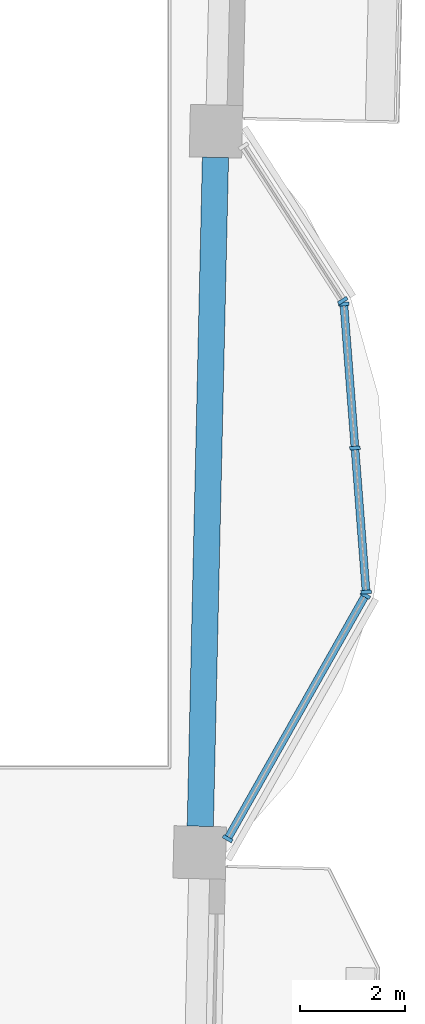
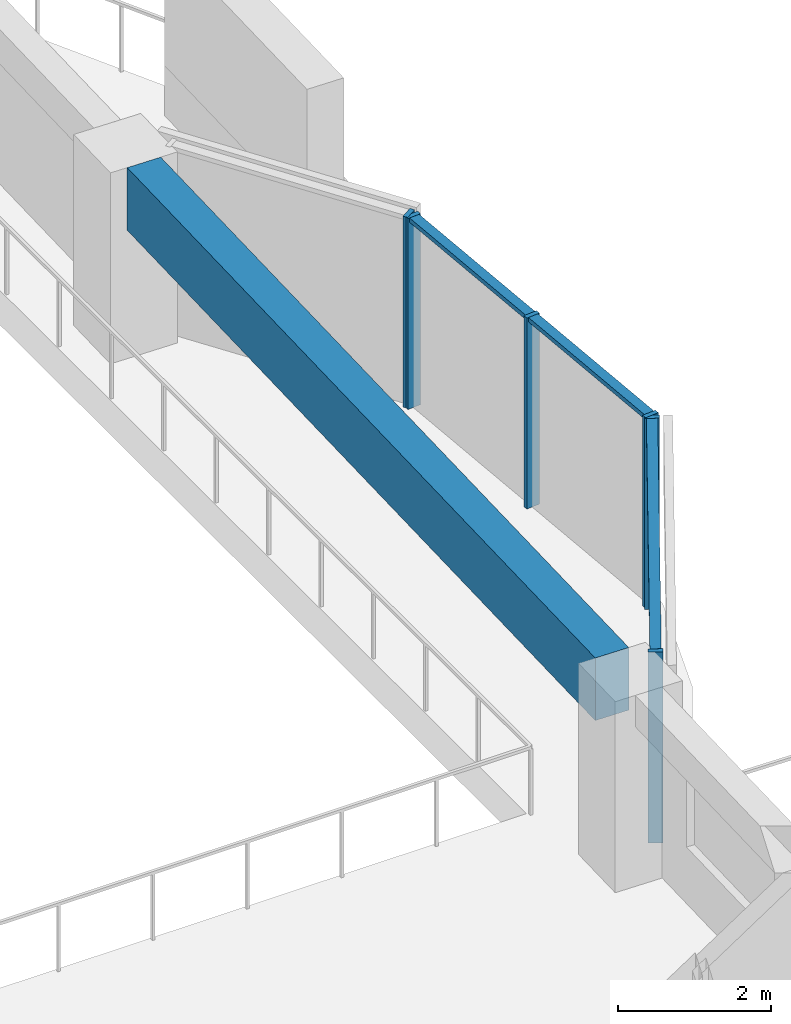
# One storey, part 2 of 17: 9 members, 1 beam, 3 elements without a shape of their own.
"""IFC4 building model written with IfcOpenShell, lengths in metres."""

from ifc_helpers import new_model, si_unit, direction, frame, origin, origin_2d, place, context, subcontext, project, spatial, rectangle, extrude, material, material_profile, profile_set, type_object, element, aggregate, save


model = new_model("IFC4")

# Units and contexts
model_context = context("Model", 3, precision=1e-05, world=origin(), true_north=direction((0.0, 1.0)))
body_context = subcontext(model_context, "Body", "Model", "MODEL_VIEW")
ifc_project = project(units=[si_unit("LENGTHUNIT", "METRE"), si_unit("AREAUNIT", "SQUARE_METRE"), si_unit("VOLUMEUNIT", "CUBIC_METRE"), si_unit("PLANEANGLEUNIT", "RADIAN"), si_unit("MASSUNIT", "GRAM", prefix="KILO")], contexts=[model_context])

# Site, building, storey
site_placement = place(None, origin())
site = spatial("IfcSite", under=ifc_project, at=site_placement, CompositionType="ELEMENT")
building_placement = place(site_placement, origin())
building = spatial("IfcBuilding", under=site, at=building_placement, Name="Mangrove Gate Tower", CompositionType="ELEMENT")
storey_placement = place(building_placement, frame((0.0, 0.0, 271.699951171875)))
storey = spatial("IfcBuildingStorey", under=building, at=storey_placement, Name="L69", CompositionType="ELEMENT", Elevation=271.699951171875)

# Curtain wall, members
ifc_material_1 = material(Name="Aluminium and glass curtain wall", Category="aluminium")
curtain_wall_type = type_object("IfcCurtainWallType", Name="Atrium garden-court glazing wall", PredefinedType="NOTDEFINED", material=ifc_material_1)
curtain_wall_1_placement = place(storey_placement, origin())
curtain_wall_1 = element("IfcCurtainWall", 1, at=curtain_wall_1_placement, inside=storey, type_object=curtain_wall_type, Name="Atrium garden-court glazing E1f1", PredefinedType="NOTDEFINED")
ifc_material_2 = material(Name="Aluminium alloy 6063-T6", Category="aluminium")
ifc_material_profile_1 = material_profile(ifc_material_2, rectangle(XDim=0.070068359375, YDim=0.199951171875, at=origin_2d()))
ifc_profile_set_1 = profile_set([ifc_material_profile_1], Name="Aluminium alloy 6063-T6")
member_type_1 = type_object("IfcMemberType", Name="Atrium garden-court glazing mullion 70x200", PredefinedType="MULLION", material=ifc_profile_set_1)
member_1_placement = place(storey_placement, frame((29.805908203125, -8.890869140625, 0.0), z_axis=(0.0, 0.0, 1.0), x_axis=(0.492567972087, 0.870273975754, 0.0)))
member_1 = element("IfcMember", 2, at=member_1_placement, type_object=member_type_1, Name="CWA mullion 1", PredefinedType="MULLION", context=body_context, shape_type="SweptSolid", body=[
    extrude(rectangle(XDim=0.070068359375, YDim=0.199951171875, at=origin_2d()), origin(), (0.0, 0.0, 1.0), 3.050048828125),
])
member_2_placement = place(storey_placement, frame((32.429931640625, -4.25439453125, 0.0), z_axis=(0.0, 0.0, 1.0), x_axis=(0.492567972087, 0.870273975754, 0.0)))
member_2 = element("IfcMember", 3, at=member_2_placement, type_object=member_type_1, Name="CWA mullion 2", PredefinedType="MULLION", context=body_context, shape_type="SweptSolid", body=[
    extrude(rectangle(XDim=0.070068359375, YDim=0.199951171875, at=origin_2d()), origin(), (0.0, 0.0, 1.0), 3.050048828125),
])

curtain_wall_2_placement = place(storey_placement, origin())
curtain_wall_2 = element("IfcCurtainWall", 4, at=curtain_wall_2_placement, inside=storey, type_object=curtain_wall_type, Name="Atrium garden-court glazing E1f2", PredefinedType="NOTDEFINED")
member_3_placement = place(storey_placement, frame((32.444580078125, -4.18896484375, 0.0), z_axis=(0.0, 0.0, 1.0), x_axis=(-0.077023348403, 0.997029289339, 0.0)))
member_3 = element("IfcMember", 5, at=member_3_placement, type_object=member_type_1, Name="CWA mullion 1", PredefinedType="MULLION", context=body_context, shape_type="SweptSolid", body=[
    extrude(rectangle(XDim=0.070068359375, YDim=0.199951171875, at=origin_2d()), origin(), (0.0, 0.0, 1.0), 3.050048828125),
])
member_4_placement = place(storey_placement, frame((32.232666015625, -1.4453125, 0.0), z_axis=(0.0, 0.0, 1.0), x_axis=(-0.077023348403, 0.997029289339, 0.0)))
member_4 = element("IfcMember", 6, at=member_4_placement, type_object=member_type_1, Name="CWA mullion 2", PredefinedType="MULLION", context=body_context, shape_type="SweptSolid", body=[
    extrude(rectangle(XDim=0.070068359375, YDim=0.199951171875, at=origin_2d()), origin(), (0.0, 0.0, 1.0), 3.050048828125),
])
member_5_placement = place(storey_placement, frame((32.020751953125, 1.298095703125, 0.0), z_axis=(0.0, 0.0, 1.0), x_axis=(-0.077023348403, 0.997029289339, 0.0)))
member_5 = element("IfcMember", 7, at=member_5_placement, type_object=member_type_1, Name="CWA mullion 3", PredefinedType="MULLION", context=body_context, shape_type="SweptSolid", body=[
    extrude(rectangle(XDim=0.070068359375, YDim=0.199951171875, at=origin_2d()), origin(), (0.0, 0.0, 1.0), 3.050048828125),
])

# Curtain wall, member
curtain_wall_3_placement = place(storey_placement, origin())
curtain_wall_3 = element("IfcCurtainWall", 8, at=curtain_wall_3_placement, inside=storey, type_object=curtain_wall_type, Name="Atrium garden-court glazing E1f3", PredefinedType="NOTDEFINED")
member_6_placement = place(storey_placement, frame((31.9990234375, 1.362548828125, 0.0), z_axis=(0.0, 0.0, 1.0), x_axis=(-0.540498107045, 0.841345230141, 0.0)))
member_6 = element("IfcMember", 9, at=member_6_placement, type_object=member_type_1, Name="CWA mullion 1", PredefinedType="MULLION", context=body_context, shape_type="SweptSolid", body=[
    extrude(rectangle(XDim=0.070068359375, YDim=0.199951171875, at=origin_2d()), origin(), (0.0, 0.0, 1.0), 3.050048828125),
])
aggregate(curtain_wall_3, [member_6])

# Member
ifc_material_3 = material(Name="Aluminium alloy 6063-T6", Category="aluminium")
ifc_material_profile_2 = material_profile(ifc_material_3, rectangle(XDim=0.070068359375, YDim=0.14990234375, at=origin_2d()))
ifc_profile_set_2 = profile_set([ifc_material_profile_2], Name="Aluminium alloy 6063-T6")
member_type_2 = type_object("IfcMemberType", Name="Atrium garden-court glazing transom 70x150", PredefinedType="USERDEFINED", material=ifc_profile_set_2)
member_7_placement = place(storey_placement, frame((29.822998046875, -8.8603515625, 3.01513671875), z_axis=(0.492594238536, 0.870259108635, 0.0), x_axis=(0.0, 0.0, 1.0)))
member_7 = element("IfcMember", 10, at=member_7_placement, type_object=member_type_2, Name="CWA transom 1.2", ObjectType="TRANSOM", PredefinedType="USERDEFINED", context=body_context, shape_type="SweptSolid", body=[
    extrude(rectangle(XDim=0.070068359375, YDim=0.14990234375, at=origin_2d()), origin(), (0.0, 0.0, 1.0), 5.257568359375),
])

aggregate(curtain_wall_1, [member_1, member_2, member_7])

member_8_placement = place(storey_placement, frame((32.44189453125, -4.154052734375, 3.01513671875), z_axis=(-0.07701672858, 0.997029800718, 0.0), x_axis=(0.0, 0.0, 1.0)))
member_8 = element("IfcMember", 11, at=member_8_placement, type_object=member_type_2, Name="CWA transom 1.2", ObjectType="TRANSOM", PredefinedType="USERDEFINED", context=body_context, shape_type="SweptSolid", body=[
    extrude(rectangle(XDim=0.070068359375, YDim=0.14990234375, at=origin_2d()), origin(), (0.0, 0.0, 1.0), 2.681884765625),
])

member_9_placement = place(storey_placement, frame((32.22998046875, -1.41064453125, 3.01513671875), z_axis=(-0.07701672858, 0.997029800718, 0.0), x_axis=(0.0, 0.0, 1.0)))
member_9 = element("IfcMember", 12, at=member_9_placement, type_object=member_type_2, Name="CWA transom 2.2", ObjectType="TRANSOM", PredefinedType="USERDEFINED", context=body_context, shape_type="SweptSolid", body=[
    extrude(rectangle(XDim=0.070068359375, YDim=0.14990234375, at=origin_2d()), origin(), (0.0, 0.0, 1.0), 2.681884765625),
])

aggregate(curtain_wall_2, [member_3, member_4, member_5, member_8, member_9])

# Beam
ifc_material_4 = material(Name="Concrete C50/60", Category="concrete")
ifc_material_profile_3 = material_profile(ifc_material_4, rectangle(XDim=0.5, YDim=1.0, at=origin_2d()))
ifc_profile_set_3 = profile_set([ifc_material_profile_3], Name="Concrete C50/60")
beam_type = type_object("IfcBeamType", Name="Edge beam RC 500x1000 C50/60", PredefinedType="BEAM", material=ifc_profile_set_3)
beam_placement = place(storey_placement, frame((29.284423828125, -8.65478515625, 2.550048828125), z_axis=(0.022689654485, 0.999742556651, 0.0), x_axis=(-0.999742556651, 0.022689654485, 0.0)))
element("IfcBeam", 13, at=beam_placement, inside=storey, type_object=beam_type, Name="Edge beam L69 15", PredefinedType="BEAM", context=body_context, shape_type="SweptSolid", body=[
    extrude(rectangle(XDim=0.5, YDim=1.0, at=origin_2d()), origin(), (0.0, 0.0, 1.0), 12.75048828125),
])

save(model, "model.ifc")
